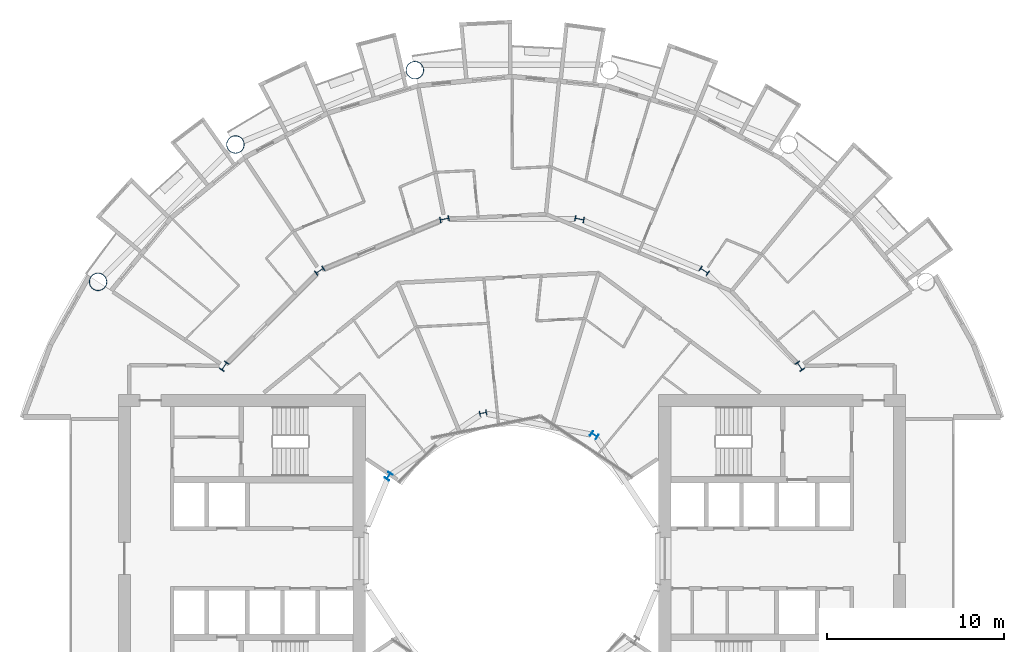
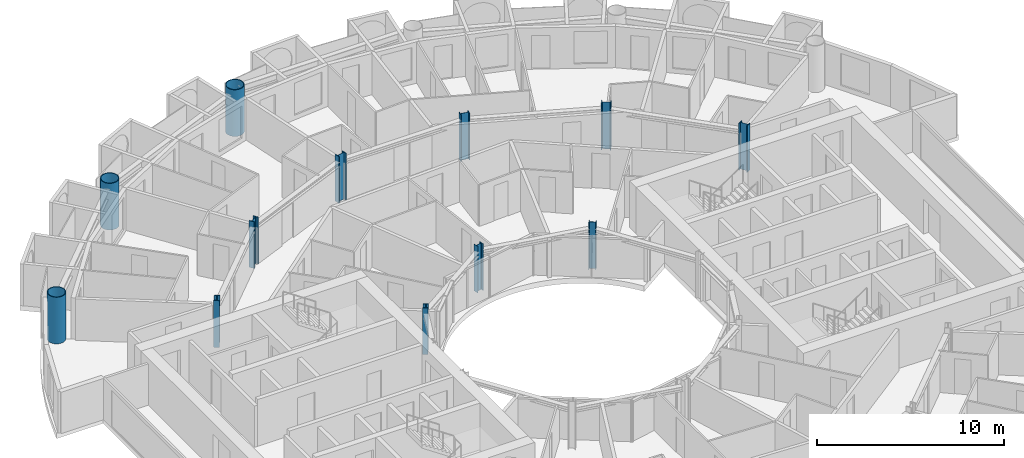
# One storey, part 3 of 26: 12 columns.
"""IFC4 building model written with IfcOpenShell, lengths in metres."""

from ifc_helpers import new_model, si_unit, direction, frame, origin, origin_2d, place, context, subcontext, project, spatial, hollow_circle, i_section, extrude, material, material_profile, profile_set, type_object, element, save


model = new_model("IFC4")

# Units and contexts
model_context = context("Model", 3, precision=1e-05, world=origin(), true_north=direction((0.0, 1.0)))
body_context = subcontext(model_context, "Body", "Model", "MODEL_VIEW")
ifc_project = project(units=[si_unit("LENGTHUNIT", "METRE"), si_unit("AREAUNIT", "SQUARE_METRE"), si_unit("VOLUMEUNIT", "CUBIC_METRE"), si_unit("PLANEANGLEUNIT", "RADIAN"), si_unit("MASSUNIT", "GRAM", prefix="KILO")], contexts=[model_context])

# Site, building, storey
site_placement = place(None, origin())
site = spatial("IfcSite", under=ifc_project, at=site_placement, CompositionType="ELEMENT")
building_placement = place(site_placement, origin())
building = spatial("IfcBuilding", under=site, at=building_placement, Name="Maasbend Ring Residences", CompositionType="ELEMENT")
storey_placement = place(building_placement, frame((0.0, 0.0, 72.75)))
storey = spatial("IfcBuildingStorey", under=building, at=storey_placement, Name="L20", CompositionType="ELEMENT", Elevation=72.75)

# Columns
ifc_material_1 = material(Name="Composite concrete-filled steel tube S460NH / C80/95", Category="concrete")
ifc_material_profile_1 = material_profile(ifc_material_1, hollow_circle(Radius=0.508056640625, WallThickness=0.0400390625, at=origin_2d()), Name="Composite tube column CHS 1016x40")
ifc_profile_set_1 = profile_set([ifc_material_profile_1], Name="Composite concrete-filled steel tube S460NH / C80/95")
column_type_1 = type_object("IfcColumnType", Name="Composite tube column CHS 1016x40", PredefinedType="COLUMN", material=ifc_profile_set_1)
for number, where, z_axis, x_axis, name in (
    (1, (-5.50146484375, 27.658203125, 0.0), (0.0, 0.0, 1.0), (1.0, 0.0, 0.0), "Outer column R5"),
    (2, (-15.6669921875, 23.447509765625, 0.0), (0.0, 0.0, 1.0), (1.0, 0.0, 0.0), "Outer column R6"),
    (3, (-23.447509765625, 15.6669921875, 0.0), (0.0, 0.0, 1.0), (1.0, 0.0, 0.0), "Outer column R7"),
):
    element("IfcColumn", number, at=place(storey_placement, frame(where, z_axis=z_axis, x_axis=x_axis)), inside=storey, type_object=column_type_1, Name=name, PredefinedType="COLUMN", context=body_context, shape_type="SweptSolid", body=[
        extrude(hollow_circle(Radius=0.508056640625, WallThickness=0.0400390625, at=origin_2d()), origin(), (0.0, 0.0, 1.0), 3.050048828125),
    ])
ifc_material_2 = material(Name="Steel S355J2", Category="steel")
ifc_material_profile_2 = material_profile(ifc_material_2, i_section(OverallWidth=0.300048828125, OverallDepth=0.39990234375, WebThickness=0.013427734375, FlangeThickness=0.02392578125, FilletRadius=0.027099609375, at=origin_2d()), Name="HEB 400")
ifc_profile_set_2 = profile_set([ifc_material_profile_2], Name="Steel S355J2")
column_type_2 = type_object("IfcColumnType", Name="Steel column HEB 400", PredefinedType="COLUMN", material=ifc_profile_set_2)
for number, where, z_axis, x_axis, name in (
    (4, (4.666748046875, 6.984375, 0.0), (0.0, 0.0, 1.0), (0.55557023302, 0.831469612303, 0.0), "Well ring column R3"),
    (5, (-1.638916015625, 8.238525390625, 0.0), (0.0, 0.0, 1.0), (-0.195090322016, 0.980785280403, 0.0), "Well ring column R5"),
    (6, (-6.984375, 4.666748046875, 0.0), (0.0, 0.0, 1.0), (-0.831469612303, 0.55557023302, 0.0), "Well ring column R7"),
):
    element("IfcColumn", number, at=place(storey_placement, frame(where, z_axis=z_axis, x_axis=x_axis)), inside=storey, type_object=column_type_2, Name=name, PredefinedType="COLUMN", context=body_context, shape_type="SweptSolid", body=[
        extrude(i_section(OverallWidth=0.300048828125, OverallDepth=0.39990234375, WebThickness=0.013427734375, FlangeThickness=0.02392578125, FilletRadius=0.027099609375, at=origin_2d()), origin(), (0.0, 0.0, 1.0), 3.050048828125),
    ])
ifc_material_3 = material(Name="Steel S460M", Category="steel")
ifc_material_profile_3 = material_profile(ifc_material_3, i_section(OverallWidth=0.305908203125, OverallDepth=0.52392578125, WebThickness=0.02099609375, FlangeThickness=0.0400390625, FilletRadius=0.027099609375, at=origin_2d()), Name="HEM 500")
ifc_profile_set_3 = profile_set([ifc_material_profile_3], Name="Steel S460M")
column_type_3 = type_object("IfcColumnType", Name="Steel column HEM 500", PredefinedType="COLUMN", material=ifc_profile_set_3)
for number, where, z_axis, x_axis, name in (
    (7, (16.296875, 10.88916015625, 0.0), (0.0, 0.0, 1.0), (0.831469612303, 0.55557023302, 0.0), "Corridor ring column R2"),
    (8, (10.88916015625, 16.296875, 0.0), (0.0, 0.0, 1.0), (0.55557023302, 0.831469612303, 0.0), "Corridor ring column R3"),
    (9, (3.82373046875, 19.223388671875, 0.0), (0.0, 0.0, 1.0), (0.195090322016, 0.980785280403, 0.0), "Corridor ring column R4"),
    (10, (-3.82373046875, 19.223388671875, 0.0), (0.0, 0.0, 1.0), (-0.195090322016, 0.980785280403, 0.0), "Corridor ring column R5"),
    (11, (-10.88916015625, 16.296875, 0.0), (0.0, 0.0, 1.0), (-0.55557023302, 0.831469612303, 0.0), "Corridor ring column R6"),
    (12, (-16.296875, 10.88916015625, 0.0), (0.0, 0.0, 1.0), (-0.831469612303, 0.55557023302, 0.0), "Corridor ring column R7"),
):
    element("IfcColumn", number, at=place(storey_placement, frame(where, z_axis=z_axis, x_axis=x_axis)), inside=storey, type_object=column_type_3, Name=name, PredefinedType="COLUMN", context=body_context, shape_type="SweptSolid", body=[
        extrude(i_section(OverallWidth=0.305908203125, OverallDepth=0.52392578125, WebThickness=0.02099609375, FlangeThickness=0.0400390625, FilletRadius=0.027099609375, at=origin_2d()), origin(), (0.0, 0.0, 1.0), 3.050048828125),
    ])

save(model, "model.ifc")
